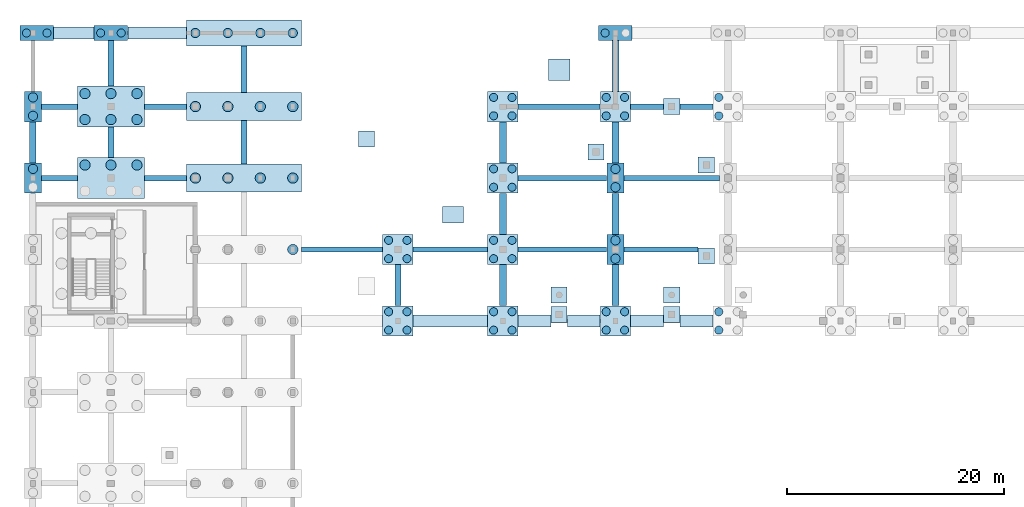
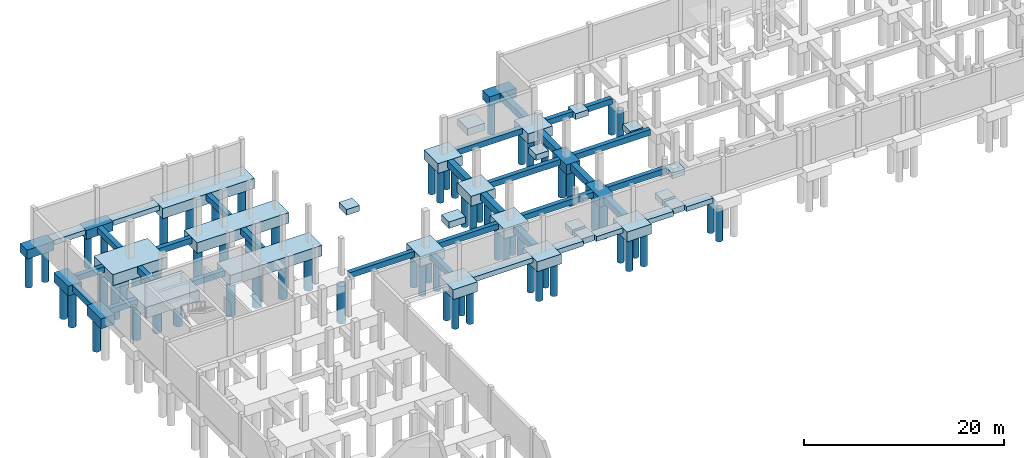
# One storey, part 3 of 21: 70 piles, 64 footings.
"""IFC4 building model written with IfcOpenShell, lengths in metres."""

from ifc_helpers import new_model, si_unit, derived_unit, direction, frame, origin, origin_2d, place, context, subcontext, project, spatial, rectangle, circle, extrude, material, material_profile, profile_set, type_object, element, save


model = new_model("IFC4")

# Units and contexts
model_context = context("Model", 3, precision=1e-05, world=origin(), true_north=direction((0.0, 1.0)))
body_context = subcontext(model_context, "Body", "Model", "MODEL_VIEW")
ifc_project = project(units=[si_unit("LENGTHUNIT", "METRE"), si_unit("AREAUNIT", "SQUARE_METRE"), si_unit("VOLUMEUNIT", "CUBIC_METRE"), si_unit("PLANEANGLEUNIT", "RADIAN"), si_unit("MASSUNIT", "GRAM", prefix="KILO"), derived_unit("THERMALTRANSMITTANCEUNIT", [(si_unit("POWERUNIT", "WATT"), 1), (si_unit("LENGTHUNIT", "METRE"), -2), (si_unit("THERMODYNAMICTEMPERATUREUNIT", "KELVIN"), -1)])], contexts=[model_context])

# Site, building, storey
site_placement = place(None, origin())
site = spatial("IfcSite", under=ifc_project, at=site_placement, CompositionType="ELEMENT")
building_placement = place(site_placement, origin())
building = spatial("IfcBuilding", under=site, at=building_placement, Name="Braskholm Square Health Centre", CompositionType="ELEMENT")
storey_placement = place(building_placement, frame((0.0, 0.0, -4.5)))
storey = spatial("IfcBuildingStorey", under=building, at=storey_placement, Name="B01", CompositionType="ELEMENT", Elevation=-4.5)

# Piles
ifc_material = material(Name="Concrete C40/50 (f'c = 40 MPa)", Category="concrete")
ifc_material_profile_1 = material_profile(ifc_material, circle(Radius=0.375, at=origin_2d()), Name="BORED-PILE-750")
ifc_profile_set_1 = profile_set([ifc_material_profile_1], Name="Concrete C40/50 (f'c = 40 MPa)")
pile_type_1 = type_object("IfcPileType", Name="BoredShaft750", PredefinedType="BORED", material=ifc_profile_set_1)
for number, where, z_axis, x_axis, name in (
    (1, (3.60009765625, 113.800048828125, -1.0), (0.0, 0.0, -1.0), (1.0, 0.0, 0.0), "Rock-socketed shaft 0201"),
    (2, (5.5, 113.800048828125, -1.0), (0.0, 0.0, -1.0), (1.0, 0.0, 0.0), "Rock-socketed shaft 0202"),
    (3, (10.449951171875, 113.800048828125, -1.0), (0.0, 0.0, -1.0), (1.0, 0.0, 0.0), "Rock-socketed shaft 0265"),
    (4, (12.35009765625, 113.800048828125, -1.0), (0.0, 0.0, -1.0), (1.0, 0.0, 0.0), "Rock-socketed shaft 0266"),
    (5, (37.050048828125, 86.35009765625, -1.10009765625), (0.0, 0.0, -1.0), (1.0, 0.0, 0.0), "Rock-socketed shaft 0267"),
    (6, (38.75, 86.35009765625, -1.10009765625), (0.0, 0.0, -1.0), (1.0, 0.0, 0.0), "Rock-socketed shaft 0268"),
    (7, (37.050048828125, 88.050048828125, -1.10009765625), (0.0, 0.0, -1.0), (1.0, 0.0, 0.0), "Rock-socketed shaft 0269"),
    (8, (38.75, 88.050048828125, -1.10009765625), (0.0, 0.0, -1.0), (1.0, 0.0, 0.0), "Rock-socketed shaft 0270"),
    (9, (37.050048828125, 92.949951171875, -1.10009765625), (0.0, 0.0, -1.0), (1.0, 0.0, 0.0), "Rock-socketed shaft 0271"),
    (10, (38.75, 92.949951171875, -1.10009765625), (0.0, 0.0, -1.0), (1.0, 0.0, 0.0), "Rock-socketed shaft 0272"),
    (11, (37.050048828125, 94.64990234375, -1.10009765625), (0.0, 0.0, -1.0), (1.0, 0.0, 0.0), "Rock-socketed shaft 0273"),
    (12, (38.75, 94.64990234375, -1.10009765625), (0.0, 0.0, -1.0), (1.0, 0.0, 0.0), "Rock-socketed shaft 0274"),
    (13, (46.75, 86.35009765625, -1.10009765625), (0.0, 0.0, -1.0), (1.0, 0.0, 0.0), "Rock-socketed shaft 0275"),
    (14, (48.449951171875, 86.35009765625, -1.10009765625), (0.0, 0.0, -1.0), (1.0, 0.0, 0.0), "Rock-socketed shaft 0276"),
    (15, (46.75, 88.050048828125, -1.10009765625), (0.0, 0.0, -1.0), (1.0, 0.0, 0.0), "Rock-socketed shaft 0277"),
    (16, (48.449951171875, 88.050048828125, -1.10009765625), (0.0, 0.0, -1.0), (1.0, 0.0, 0.0), "Rock-socketed shaft 0278"),
    (17, (46.75, 92.949951171875, -1.10009765625), (0.0, 0.0, -1.0), (1.0, 0.0, 0.0), "Rock-socketed shaft 0279"),
    (18, (48.449951171875, 92.949951171875, -1.10009765625), (0.0, 0.0, -1.0), (1.0, 0.0, 0.0), "Rock-socketed shaft 0280"),
    (19, (46.75, 94.64990234375, -1.10009765625), (0.0, 0.0, -1.0), (1.0, 0.0, 0.0), "Rock-socketed shaft 0281"),
    (20, (48.449951171875, 94.64990234375, -1.10009765625), (0.0, 0.0, -1.0), (1.0, 0.0, 0.0), "Rock-socketed shaft 0282"),
    (21, (46.75, 99.550048828125, -1.10009765625), (0.0, 0.0, -1.0), (1.0, 0.0, 0.0), "Rock-socketed shaft 0283"),
    (22, (48.449951171875, 99.550048828125, -1.10009765625), (0.0, 0.0, -1.0), (1.0, 0.0, 0.0), "Rock-socketed shaft 0284"),
    (23, (46.75, 101.25, -1.10009765625), (0.0, 0.0, -1.0), (1.0, 0.0, 0.0), "Rock-socketed shaft 0285"),
    (24, (48.449951171875, 101.25, -1.10009765625), (0.0, 0.0, -1.0), (1.0, 0.0, 0.0), "Rock-socketed shaft 0286"),
    (25, (46.75, 106.14990234375, -1.10009765625), (0.0, 0.0, -1.0), (1.0, 0.0, 0.0), "Rock-socketed shaft 0287"),
    (26, (48.449951171875, 106.14990234375, -1.10009765625), (0.0, 0.0, -1.0), (1.0, 0.0, 0.0), "Rock-socketed shaft 0288"),
    (27, (46.75, 107.85009765625, -1.10009765625), (0.0, 0.0, -1.0), (1.0, 0.0, 0.0), "Rock-socketed shaft 0289"),
    (28, (48.449951171875, 107.85009765625, -1.10009765625), (0.0, 0.0, -1.0), (1.0, 0.0, 0.0), "Rock-socketed shaft 0290"),
    (29, (57.14990234375, 86.35009765625, -1.10009765625), (0.0, 0.0, -1.0), (1.0, 0.0, 0.0), "Rock-socketed shaft 0291"),
    (30, (58.85009765625, 86.35009765625, -1.10009765625), (0.0, 0.0, -1.0), (1.0, 0.0, 0.0), "Rock-socketed shaft 0292"),
    (31, (57.14990234375, 88.050048828125, -1.10009765625), (0.0, 0.0, -1.0), (1.0, 0.0, 0.0), "Rock-socketed shaft 0293"),
    (32, (58.85009765625, 88.050048828125, -1.10009765625), (0.0, 0.0, -1.0), (1.0, 0.0, 0.0), "Rock-socketed shaft 0294"),
    (33, (57.14990234375, 106.14990234375, -1.10009765625), (0.0, 0.0, -1.0), (1.0, 0.0, 0.0), "Rock-socketed shaft 0299"),
    (34, (58.85009765625, 106.14990234375, -1.10009765625), (0.0, 0.0, -1.0), (1.0, 0.0, 0.0), "Rock-socketed shaft 0300"),
    (35, (57.14990234375, 107.85009765625, -1.10009765625), (0.0, 0.0, -1.0), (1.0, 0.0, 0.0), "Rock-socketed shaft 0301"),
    (36, (58.85009765625, 107.85009765625, -1.10009765625), (0.0, 0.0, -1.0), (1.0, 0.0, 0.0), "Rock-socketed shaft 0302"),
    (37, (57.050048828125, 113.800048828125, -1.0), (0.0, 0.0, -1.0), (1.0, 0.0, 0.0), "Rock-socketed shaft 0303"),
    (38, (67.550048828125, 86.35009765625, -1.10009765625), (0.0, 0.0, -1.0), (1.0, 0.0, 0.0), "Rock-socketed shaft 0305"),
    (39, (67.550048828125, 88.050048828125, -1.10009765625), (0.0, 0.0, -1.0), (1.0, 0.0, 0.0), "Rock-socketed shaft 0307"),
    (40, (67.550048828125, 106.14990234375, -1.10009765625), (0.0, 0.0, -1.0), (1.0, 0.0, 0.0), "Rock-socketed shaft 0313"),
    (41, (67.550048828125, 107.85009765625, -1.10009765625), (0.0, 0.0, -1.0), (1.0, 0.0, 0.0), "Rock-socketed shaft 0315"),
):
    element("IfcPile", number, at=place(storey_placement, frame(where, z_axis=z_axis, x_axis=x_axis)), inside=storey, type_object=pile_type_1, Name=name, PredefinedType="BORED", context=body_context, shape_type="SweptSolid", body=[
        extrude(circle(Radius=0.375, at=origin_2d()), origin(), (0.0, 0.0, 1.0), 4.0),
    ])
ifc_material_profile_2 = material_profile(ifc_material, circle(Radius=0.425048828125, at=origin_2d()), Name="BORED-PILE-850")
ifc_profile_set_2 = profile_set([ifc_material_profile_2], Name="Concrete C40/50 (f'c = 40 MPa)")
pile_type_2 = type_object("IfcPileType", Name="BoredShaft850", PredefinedType="BORED", material=ifc_profile_set_2)
for number, where, z_axis, x_axis, name in (
    (42, (19.199951171875, 113.800048828125, -1.14990234375), (0.0, 0.0, -1.0), (1.0, 0.0, 0.0), "Rock-socketed shaft 0097"),
    (43, (22.199951171875, 113.800048828125, -1.14990234375), (0.0, 0.0, -1.0), (1.0, 0.0, 0.0), "Rock-socketed shaft 0098"),
    (44, (25.199951171875, 113.800048828125, -1.14990234375), (0.0, 0.0, -1.0), (1.0, 0.0, 0.0), "Rock-socketed shaft 0099"),
    (45, (28.199951171875, 113.800048828125, -1.14990234375), (0.0, 0.0, -1.0), (1.0, 0.0, 0.0), "Rock-socketed shaft 0100"),
    (46, (4.199951171875, 101.25, -1.10009765625), (0.0, 0.0, -1.0), (1.0, 0.0, 0.0), "Rock-socketed shaft 0198"),
    (47, (4.199951171875, 106.14990234375, -1.10009765625), (0.0, 0.0, -1.0), (1.0, 0.0, 0.0), "Rock-socketed shaft 0199"),
    (48, (4.199951171875, 107.85009765625, -1.10009765625), (0.0, 0.0, -1.0), (1.0, 0.0, 0.0), "Rock-socketed shaft 0200"),
    (49, (58.0, 92.949951171875, -1.10009765625), (0.0, 0.0, -1.0), (1.0, 0.0, 0.0), "Rock-socketed shaft 0295"),
    (50, (58.0, 94.64990234375, -1.10009765625), (0.0, 0.0, -1.0), (1.0, 0.0, 0.0), "Rock-socketed shaft 0296"),
    (51, (58.0, 99.550048828125, -1.10009765625), (0.0, 0.0, -1.0), (1.0, 0.0, 0.0), "Rock-socketed shaft 0297"),
    (52, (58.0, 101.25, -1.10009765625), (0.0, 0.0, -1.0), (1.0, 0.0, 0.0), "Rock-socketed shaft 0298"),
):
    element("IfcPile", number, at=place(storey_placement, frame(where, z_axis=z_axis, x_axis=x_axis)), inside=storey, type_object=pile_type_2, Name=name, PredefinedType="BORED", context=body_context, shape_type="SweptSolid", body=[
        extrude(circle(Radius=0.425048828125, at=origin_2d()), origin(), (0.0, 0.0, 1.0), 4.300048828125),
    ])
ifc_material_profile_3 = material_profile(ifc_material, circle(Radius=0.47509765625, at=origin_2d()), Name="BORED-PILE-950")
ifc_profile_set_3 = profile_set([ifc_material_profile_3], Name="Concrete C40/50 (f'c = 40 MPa)")
pile_type_3 = type_object("IfcPileType", Name="BoredShaft950", PredefinedType="BORED", material=ifc_profile_set_3)
for number, where, z_axis, x_axis, name in (
    (53, (28.199951171875, 93.800048828125, -1.199951171875), (0.0, 0.0, -1.0), (1.0, 0.0, 0.0), "Rock-socketed shaft 0088"),
    (54, (19.199951171875, 100.39990234375, -1.199951171875), (0.0, 0.0, -1.0), (1.0, 0.0, 0.0), "Rock-socketed shaft 0089"),
    (55, (22.199951171875, 100.39990234375, -1.199951171875), (0.0, 0.0, -1.0), (1.0, 0.0, 0.0), "Rock-socketed shaft 0090"),
    (56, (25.199951171875, 100.39990234375, -1.199951171875), (0.0, 0.0, -1.0), (1.0, 0.0, 0.0), "Rock-socketed shaft 0091"),
    (57, (28.199951171875, 100.39990234375, -1.199951171875), (0.0, 0.0, -1.0), (1.0, 0.0, 0.0), "Rock-socketed shaft 0092"),
    (58, (19.199951171875, 107.0, -1.199951171875), (0.0, 0.0, -1.0), (1.0, 0.0, 0.0), "Rock-socketed shaft 0093"),
    (59, (22.199951171875, 107.0, -1.199951171875), (0.0, 0.0, -1.0), (1.0, 0.0, 0.0), "Rock-socketed shaft 0094"),
    (60, (25.199951171875, 107.0, -1.199951171875), (0.0, 0.0, -1.0), (1.0, 0.0, 0.0), "Rock-socketed shaft 0095"),
    (61, (28.199951171875, 107.0, -1.199951171875), (0.0, 0.0, -1.0), (1.0, 0.0, 0.0), "Rock-socketed shaft 0096"),
    (62, (9.0, 101.60009765625, -1.25), (0.0, 0.0, -1.0), (1.0, 0.0, 0.0), "Rock-socketed shaft 0256"),
    (63, (11.39990234375, 101.60009765625, -1.25), (0.0, 0.0, -1.0), (1.0, 0.0, 0.0), "Rock-socketed shaft 0257"),
    (64, (13.800048828125, 101.60009765625, -1.25), (0.0, 0.0, -1.0), (1.0, 0.0, 0.0), "Rock-socketed shaft 0258"),
    (65, (9.0, 105.800048828125, -1.25), (0.0, 0.0, -1.0), (1.0, 0.0, 0.0), "Rock-socketed shaft 0259"),
    (66, (11.39990234375, 105.800048828125, -1.25), (0.0, 0.0, -1.0), (1.0, 0.0, 0.0), "Rock-socketed shaft 0260"),
    (67, (13.800048828125, 105.800048828125, -1.25), (0.0, 0.0, -1.0), (1.0, 0.0, 0.0), "Rock-socketed shaft 0261"),
    (68, (9.0, 108.199951171875, -1.25), (0.0, 0.0, -1.0), (1.0, 0.0, 0.0), "Rock-socketed shaft 0262"),
    (69, (11.39990234375, 108.199951171875, -1.25), (0.0, 0.0, -1.0), (1.0, 0.0, 0.0), "Rock-socketed shaft 0263"),
    (70, (13.800048828125, 108.199951171875, -1.25), (0.0, 0.0, -1.0), (1.0, 0.0, 0.0), "Rock-socketed shaft 0264"),
):
    element("IfcPile", number, at=place(storey_placement, frame(where, z_axis=z_axis, x_axis=x_axis)), inside=storey, type_object=pile_type_3, Name=name, PredefinedType="BORED", context=body_context, shape_type="SweptSolid", body=[
        extrude(circle(Radius=0.47509765625, at=origin_2d()), origin(), (0.0, 0.0, 1.0), 4.60009765625),
    ])

# Footings
ifc_material_profile_4 = material_profile(ifc_material, rectangle(XDim=0.60009765625, YDim=0.800048828125, at=origin_2d()), Name="FTG-600X800")
ifc_profile_set_4 = profile_set([ifc_material_profile_4], Name="Concrete C40/50 (f'c = 40 MPa)")
footing_type_1 = type_object("IfcFootingType", Name="GradeBeamFrost600x800", PredefinedType="FOOTING_BEAM", material=ifc_profile_set_4)
footing_1_placement = place(storey_placement, frame((4.199951171875, 101.804931640625, -0.39990234375), z_axis=(0.0, 1.0, 0.0), x_axis=(-1.0, 0.0, 0.0)))
element("IfcFooting", 71, at=footing_1_placement, inside=storey, type_object=footing_type_1, Name="Foundation tie beam 0014", PredefinedType="FOOTING_BEAM", context=body_context, shape_type="SweptSolid", body=[
    extrude(rectangle(XDim=0.60009765625, YDim=0.800048828125, at=origin_2d()), origin(), (0.0, 0.0, 1.0), 3.7900390625),
])
ifc_material_profile_5 = material_profile(ifc_material, rectangle(XDim=0.64990234375, YDim=0.85009765625, at=origin_2d()), Name="FTG-650X850")
ifc_profile_set_5 = profile_set([ifc_material_profile_5], Name="Concrete C40/50 (f'c = 40 MPa)")
footing_type_2 = type_object("IfcFootingType", Name="GradeBeamHall650x850", PredefinedType="FOOTING_BEAM", material=ifc_profile_set_5)
for number, where, z_axis, x_axis, name in (
    (72, (47.60009765625, 88.60498046875, -0.425048828125), (0.0, 1.0, 0.0), (-1.0, 0.0, 0.0), "Foundation tie beam 0041"),
    (73, (47.60009765625, 95.205078125, -0.425048828125), (0.0, 1.0, 0.0), (-1.0, 0.0, 0.0), "Foundation tie beam 0042"),
    (74, (47.60009765625, 101.804931640625, -0.425048828125), (0.0, 1.0, 0.0), (-1.0, 0.0, 0.0), "Foundation tie beam 0043"),
    (75, (58.0, 88.60498046875, -0.425048828125), (0.0, 1.0, 0.0), (-1.0, 0.0, 0.0), "Foundation tie beam 0044"),
    (76, (58.0, 95.205078125, -0.425048828125), (0.0, 1.0, 0.0), (-1.0, 0.0, 0.0), "Foundation tie beam 0045"),
    (77, (58.0, 101.804931640625, -0.425048828125), (0.0, 1.0, 0.0), (-1.0, 0.0, 0.0), "Foundation tie beam 0046"),
):
    element("IfcFooting", number, at=place(storey_placement, frame(where, z_axis=z_axis, x_axis=x_axis)), inside=storey, type_object=footing_type_2, Name=name, PredefinedType="FOOTING_BEAM", context=body_context, shape_type="SweptSolid", body=[
        extrude(rectangle(XDim=0.64990234375, YDim=0.85009765625, at=origin_2d()), origin(), (0.0, 0.0, 1.0), 3.7900390625),
    ])
footing_2_placement = place(storey_placement, frame((58.0, 108.405029296875, -0.425048828125), z_axis=(0.0, 1.0, 0.0), x_axis=(-1.0, 0.0, 0.0)))
element("IfcFooting", 78, at=footing_2_placement, inside=storey, type_object=footing_type_2, Name="Foundation tie beam 0047", PredefinedType="FOOTING_BEAM", context=body_context, shape_type="SweptSolid", body=[
    extrude(rectangle(XDim=0.64990234375, YDim=0.85009765625, at=origin_2d()), origin(), (0.0, 0.0, 1.0), 4.68994140625),
])
ifc_material_profile_6 = material_profile(ifc_material, rectangle(XDim=0.5, YDim=0.699951171875, at=origin_2d()), Name="FTG-500X700")
ifc_profile_set_6 = profile_set([ifc_material_profile_6], Name="Concrete C40/50 (f'c = 40 MPa)")
footing_type_3 = type_object("IfcFootingType", Name="GradeBeamTie500x700", PredefinedType="FOOTING_BEAM", material=ifc_profile_set_6)
footing_3_placement = place(storey_placement, frame((29.0048828125, 93.800048828125, -0.35009765625), z_axis=(1.0, 0.0, 0.0), x_axis=(0.0, 1.0, 0.0)))
element("IfcFooting", 79, at=footing_3_placement, inside=storey, type_object=footing_type_3, Name="Foundation tie beam 0175", PredefinedType="FOOTING_BEAM", context=body_context, shape_type="SweptSolid", body=[
    extrude(rectangle(XDim=0.5, YDim=0.699951171875, at=origin_2d()), origin(), (0.0, 0.0, 1.0), 7.490234375),
])
footing_4_placement = place(storey_placement, frame((39.304931640625, 93.800048828125, -0.35009765625), z_axis=(1.0, 0.0, 0.0), x_axis=(0.0, 1.0, 0.0)))
element("IfcFooting", 80, at=footing_4_placement, inside=storey, type_object=footing_type_3, Name="Foundation tie beam 0176", PredefinedType="FOOTING_BEAM", context=body_context, shape_type="SweptSolid", body=[
    extrude(rectangle(XDim=0.5, YDim=0.699951171875, at=origin_2d()), origin(), (0.0, 0.0, 1.0), 6.89013671875),
])
footing_5_placement = place(storey_placement, frame((49.0048828125, 93.800048828125, -0.35009765625), z_axis=(1.0, 0.0, 0.0), x_axis=(0.0, 1.0, 0.0)))
element("IfcFooting", 81, at=footing_5_placement, inside=storey, type_object=footing_type_3, Name="Foundation tie beam 0177", PredefinedType="FOOTING_BEAM", context=body_context, shape_type="SweptSolid", body=[
    extrude(rectangle(XDim=0.5, YDim=0.699951171875, at=origin_2d()), origin(), (0.0, 0.0, 1.0), 8.190185546875),
])
footing_6_placement = place(storey_placement, frame((58.804931640625, 93.800048828125, -0.35009765625), z_axis=(1.0, 0.0, 0.0), x_axis=(0.0, 1.0, 0.0)))
element("IfcFooting", 82, at=footing_6_placement, inside=storey, type_object=footing_type_3, Name="Foundation tie beam 0178", PredefinedType="FOOTING_BEAM", context=body_context, shape_type="SweptSolid", body=[
    extrude(rectangle(XDim=0.5, YDim=0.699951171875, at=origin_2d()), origin(), (0.0, 0.0, 1.0), 6.841064453125),
])
footing_7_placement = place(storey_placement, frame((5.0048828125, 100.39990234375, -0.35009765625), z_axis=(1.0, 0.0, 0.0), x_axis=(0.0, 1.0, 0.0)))
element("IfcFooting", 83, at=footing_7_placement, inside=storey, type_object=footing_type_3, Name="Foundation tie beam 0188", PredefinedType="FOOTING_BEAM", context=body_context, shape_type="SweptSolid", body=[
    extrude(rectangle(XDim=0.5, YDim=0.699951171875, at=origin_2d()), origin(), (0.0, 0.0, 1.0), 3.2900390625),
])
footing_8_placement = place(storey_placement, frame((14.5048828125, 100.39990234375, -0.35009765625), z_axis=(1.0, 0.0, 0.0), x_axis=(0.0, 1.0, 0.0)))
element("IfcFooting", 84, at=footing_8_placement, inside=storey, type_object=footing_type_3, Name="Foundation tie beam 0189", PredefinedType="FOOTING_BEAM", context=body_context, shape_type="SweptSolid", body=[
    extrude(rectangle(XDim=0.5, YDim=0.699951171875, at=origin_2d()), origin(), (0.0, 0.0, 1.0), 3.89013671875),
])
footing_9_placement = place(storey_placement, frame((49.0048828125, 100.39990234375, -0.35009765625), z_axis=(1.0, 0.0, 0.0), x_axis=(0.0, 1.0, 0.0)))
element("IfcFooting", 85, at=footing_9_placement, inside=storey, type_object=footing_type_3, Name="Foundation tie beam 0190", PredefinedType="FOOTING_BEAM", context=body_context, shape_type="SweptSolid", body=[
    extrude(rectangle(XDim=0.5, YDim=0.699951171875, at=origin_2d()), origin(), (0.0, 0.0, 1.0), 8.190185546875),
])
footing_10_placement = place(storey_placement, frame((58.804931640625, 100.39990234375, -0.35009765625), z_axis=(1.0, 0.0, 0.0), x_axis=(0.0, 1.0, 0.0)))
element("IfcFooting", 86, at=footing_10_placement, inside=storey, type_object=footing_type_3, Name="Foundation tie beam 0191", PredefinedType="FOOTING_BEAM", context=body_context, shape_type="SweptSolid", body=[
    extrude(rectangle(XDim=0.5, YDim=0.699951171875, at=origin_2d()), origin(), (0.0, 0.0, 1.0), 8.7900390625),
])
footing_11_placement = place(storey_placement, frame((5.0048828125, 107.0, -0.35009765625), z_axis=(1.0, 0.0, 0.0), x_axis=(0.0, 1.0, 0.0)))
element("IfcFooting", 87, at=footing_11_placement, inside=storey, type_object=footing_type_3, Name="Foundation tie beam 0199", PredefinedType="FOOTING_BEAM", context=body_context, shape_type="SweptSolid", body=[
    extrude(rectangle(XDim=0.5, YDim=0.699951171875, at=origin_2d()), origin(), (0.0, 0.0, 1.0), 3.2900390625),
])
footing_12_placement = place(storey_placement, frame((14.5048828125, 107.0, -0.35009765625), z_axis=(1.0, 0.0, 0.0), x_axis=(0.0, 1.0, 0.0)))
element("IfcFooting", 88, at=footing_12_placement, inside=storey, type_object=footing_type_3, Name="Foundation tie beam 0200", PredefinedType="FOOTING_BEAM", context=body_context, shape_type="SweptSolid", body=[
    extrude(rectangle(XDim=0.5, YDim=0.699951171875, at=origin_2d()), origin(), (0.0, 0.0, 1.0), 3.89013671875),
])
footing_13_placement = place(storey_placement, frame((49.0048828125, 107.0, -0.35009765625), z_axis=(1.0, 0.0, 0.0), x_axis=(0.0, 1.0, 0.0)))
element("IfcFooting", 89, at=footing_13_placement, inside=storey, type_object=footing_type_3, Name="Foundation tie beam 0201", PredefinedType="FOOTING_BEAM", context=body_context, shape_type="SweptSolid", body=[
    extrude(rectangle(XDim=0.5, YDim=0.699951171875, at=origin_2d()), origin(), (0.0, 0.0, 1.0), 7.590087890625),
])
for number, where, z_axis, x_axis, name in (
    (90, (59.405029296875, 107.0, -0.35009765625), (1.0, 0.0, 0.0), (0.0, 1.0, 0.0), "Foundation tie beam 0202"),
    (91, (63.9541015625, 107.0, -0.35009765625), (1.0, 0.0, 0.0), (0.0, 1.0, 0.0), "Foundation tie beam 0203"),
):
    element("IfcFooting", number, at=place(storey_placement, frame(where, z_axis=z_axis, x_axis=x_axis)), inside=storey, type_object=footing_type_3, Name=name, PredefinedType="FOOTING_BEAM", context=body_context, shape_type="SweptSolid", body=[
        extrude(rectangle(XDim=0.5, YDim=0.699951171875, at=origin_2d()), origin(), (0.0, 0.0, 1.0), 3.041015625),
    ])
ifc_material_profile_7 = material_profile(ifc_material, rectangle(XDim=0.550048828125, YDim=0.75, at=origin_2d()), Name="FTG-550X750")
ifc_profile_set_7 = profile_set([ifc_material_profile_7], Name="Concrete C40/50 (f'c = 40 MPa)")
footing_type_4 = type_object("IfcFootingType", Name="GradeBeamTie550x750", PredefinedType="FOOTING_BEAM", material=ifc_profile_set_7)
footing_14_placement = place(storey_placement, frame((11.39990234375, 102.304931640625, -0.375), z_axis=(0.0, 1.0, 0.0), x_axis=(-1.0, 0.0, 0.0)))
element("IfcFooting", 92, at=footing_14_placement, inside=storey, type_object=footing_type_4, Name="Foundation tie beam 0022", PredefinedType="FOOTING_BEAM", context=body_context, shape_type="SweptSolid", body=[
    extrude(rectangle(XDim=0.550048828125, YDim=0.75, at=origin_2d()), origin(), (0.0, 0.0, 1.0), 2.7900390625),
])
footing_15_placement = place(storey_placement, frame((11.39990234375, 108.905029296875, -0.375), z_axis=(0.0, 1.0, 0.0), x_axis=(-1.0, 0.0, 0.0)))
element("IfcFooting", 93, at=footing_15_placement, inside=storey, type_object=footing_type_4, Name="Foundation tie beam 0023", PredefinedType="FOOTING_BEAM", context=body_context, shape_type="SweptSolid", body=[
    extrude(rectangle(XDim=0.550048828125, YDim=0.75, at=origin_2d()), origin(), (0.0, 0.0, 1.0), 4.18994140625),
])
footing_16_placement = place(storey_placement, frame((23.699951171875, 101.705078125, -0.375), z_axis=(0.0, 1.0, 0.0), x_axis=(-1.0, 0.0, 0.0)))
element("IfcFooting", 94, at=footing_16_placement, inside=storey, type_object=footing_type_4, Name="Foundation tie beam 0038", PredefinedType="FOOTING_BEAM", context=body_context, shape_type="SweptSolid", body=[
    extrude(rectangle(XDim=0.550048828125, YDim=0.75, at=origin_2d()), origin(), (0.0, 0.0, 1.0), 3.989990234375),
])
footing_17_placement = place(storey_placement, frame((23.699951171875, 108.304931640625, -0.375), z_axis=(0.0, 1.0, 0.0), x_axis=(-1.0, 0.0, 0.0)))
element("IfcFooting", 95, at=footing_17_placement, inside=storey, type_object=footing_type_4, Name="Foundation tie beam 0039", PredefinedType="FOOTING_BEAM", context=body_context, shape_type="SweptSolid", body=[
    extrude(rectangle(XDim=0.550048828125, YDim=0.75, at=origin_2d()), origin(), (0.0, 0.0, 1.0), 4.2900390625),
])
footing_18_placement = place(storey_placement, frame((37.89990234375, 88.60498046875, -0.375), z_axis=(0.0, 1.0, 0.0), x_axis=(-1.0, 0.0, 0.0)))
element("IfcFooting", 96, at=footing_18_placement, inside=storey, type_object=footing_type_4, Name="Foundation tie beam 0040", PredefinedType="FOOTING_BEAM", context=body_context, shape_type="SweptSolid", body=[
    extrude(rectangle(XDim=0.550048828125, YDim=0.75, at=origin_2d()), origin(), (0.0, 0.0, 1.0), 3.7900390625),
])
footing_type_5 = type_object("IfcFootingType", Name="PadFootingPortico2000x2000", PredefinedType="PAD_FOOTING", material=ifc_material)
footing_19_placement = place(storey_placement, frame((52.800048828125, 110.39990234375, -0.85009765625), z_axis=(0.0, 0.0, 1.0), x_axis=(1.0, 0.0, 0.0)))
element("IfcFooting", 97, at=footing_19_placement, inside=storey, type_object=footing_type_5, Name="Frost-depth pad footing 005", PredefinedType="PAD_FOOTING", context=body_context, shape_type="SweptSolid", body=[
    extrude(rectangle(XDim=2.0, YDim=2.0, at=origin_2d()), origin(), (0.0, 0.0, 1.0), 0.85009765625),
])
footing_type_6 = type_object("IfcFootingType", Name="PadFootingScreen1500x1500", PredefinedType="PAD_FOOTING", material=ifc_material)
for number, where, z_axis, x_axis, name in (
    (98, (35.0, 104.0, -0.7001953125), (0.0, 0.0, 1.0), (1.0, 0.0, 0.0), "Frost-depth pad footing 011"),
    (99, (52.800048828125, 89.60009765625, -0.7001953125), (0.0, 0.0, 1.0), (1.0, 0.0, 0.0), "Special column pad footing RC01"),
    (100, (63.199951171875, 89.60009765625, -0.7001953125), (0.0, 0.0, 1.0), (1.0, 0.0, 0.0), "Special column pad footing RC02"),
    (101, (52.800048828125, 87.800048828125, -0.7001953125), (0.0, 0.0, 1.0), (1.0, 0.0, 0.0), "Special column pad footing CS1A"),
    (102, (63.199951171875, 87.800048828125, -0.7001953125), (0.0, 0.0, 1.0), (1.0, 0.0, 0.0), "Special column pad footing CS1B"),
    (103, (63.199951171875, 107.0, -0.7001953125), (0.0, 0.0, 1.0), (1.0, 0.0, 0.0), "Special column pad footing CS2D"),
    (104, (66.39990234375, 93.199951171875, -0.7001953125), (0.0, 0.0, 1.0), (1.0, 0.0, 0.0), "Special column pad footing CS3A"),
    (105, (56.199951171875, 102.800048828125, -0.7001953125), (0.0, 0.0, 1.0), (1.0, 0.0, 0.0), "Special column pad footing CS3G"),
    (106, (66.39990234375, 101.60009765625, -0.7001953125), (0.0, 0.0, 1.0), (1.0, 0.0, 0.0), "Special column pad footing CS3J"),
):
    element("IfcFooting", number, at=place(storey_placement, frame(where, z_axis=z_axis, x_axis=x_axis)), inside=storey, type_object=footing_type_6, Name=name, PredefinedType="PAD_FOOTING", context=body_context, shape_type="SweptSolid", body=[
        extrude(rectangle(XDim=1.5, YDim=1.5, at=origin_2d()), origin(), (0.0, 0.0, 1.0), 0.699951171875),
    ])
footing_type_7 = type_object("IfcFootingType", Name="PadFootingStair1900x1500", PredefinedType="PAD_FOOTING", material=ifc_material)
footing_20_placement = place(storey_placement, frame((43.0, 97.0, -0.7998046875), z_axis=(0.0, 0.0, 1.0), x_axis=(1.0, 0.0, 0.0)))
element("IfcFooting", 107, at=footing_20_placement, inside=storey, type_object=footing_type_7, Name="Frost-depth pad footing 009", PredefinedType="PAD_FOOTING", context=body_context, shape_type="SweptSolid", body=[
    extrude(rectangle(XDim=1.89990234375, YDim=1.5, at=origin_2d()), origin(), (0.0, 0.0, 1.0), 0.800048828125),
])
footing_type_8 = type_object("IfcFootingType", Name="PileCap2Pile2800x1600", PredefinedType="PILE_CAP", material=ifc_material)
for number, where, z_axis, x_axis, name in (
    (108, (4.199951171875, 100.39990234375, -1.2001953125), (0.0, 0.0, 1.0), (0.0, 1.0, 0.0), "Column pile cap FTG-PC-0053 at 1/Q"),
    (109, (4.199951171875, 107.0, -1.2001953125), (0.0, 0.0, 1.0), (0.0, 1.0, 0.0), "Column pile cap FTG-PC-0054 at 1/R"),
    (110, (58.0, 93.800048828125, -1.2001953125), (0.0, 0.0, 1.0), (0.0, 1.0, 0.0), "Column pile cap FTG-PC-0076 at 9/P"),
    (111, (58.0, 100.39990234375, -1.2001953125), (0.0, 0.0, 1.0), (0.0, 1.0, 0.0), "Column pile cap FTG-PC-0077 at 9/Q"),
):
    element("IfcFooting", number, at=place(storey_placement, frame(where, z_axis=z_axis, x_axis=x_axis)), inside=storey, type_object=footing_type_8, Name=name, PredefinedType="PILE_CAP", context=body_context, shape_type="SweptSolid", body=[
        extrude(rectangle(XDim=2.800048828125, YDim=1.60009765625, at=origin_2d()), origin(), (0.0, 0.0, 1.0), 1.199951171875),
    ])
footing_type_9 = type_object("IfcFootingType", Name="PileCap2Pile3100x1400", PredefinedType="PILE_CAP", material=ifc_material)
for number, where, z_axis, x_axis, name in (
    (112, (4.550048828125, 113.800048828125, -1.10009765625), (0.0, 0.0, 1.0), (1.0, 0.0, 0.0), "Column pile cap FTG-PC-0055 at 1/S"),
    (113, (11.39990234375, 113.800048828125, -1.10009765625), (0.0, 0.0, 1.0), (1.0, 0.0, 0.0), "Column pile cap FTG-PC-0068 at 2/S"),
    (114, (58.0, 113.800048828125, -1.10009765625), (0.0, 0.0, 1.0), (1.0, 0.0, 0.0), "Column pile cap FTG-PC-0079 at 9/S"),
):
    element("IfcFooting", number, at=place(storey_placement, frame(where, z_axis=z_axis, x_axis=x_axis)), inside=storey, type_object=footing_type_9, Name=name, PredefinedType="PILE_CAP", context=body_context, shape_type="SweptSolid", body=[
        extrude(rectangle(XDim=3.10009765625, YDim=1.39990234375, at=origin_2d()), origin(), (0.0, 0.0, 1.0), 1.10009765625),
    ])
footing_type_10 = type_object("IfcFootingType", Name="PileCap4Pile2800x2800", PredefinedType="PILE_CAP", material=ifc_material)
for number, where, z_axis, x_axis, name in (
    (115, (37.89990234375, 87.199951171875, -1.2001953125), (0.0, 0.0, 1.0), (1.0, 0.0, 0.0), "Column pile cap FTG-PC-0069 at 7/N"),
    (116, (37.89990234375, 93.800048828125, -1.2001953125), (0.0, 0.0, 1.0), (1.0, 0.0, 0.0), "Column pile cap FTG-PC-0070 at 7/P"),
    (117, (47.60009765625, 87.199951171875, -1.2001953125), (0.0, 0.0, 1.0), (1.0, 0.0, 0.0), "Column pile cap FTG-PC-0071 at 8/N"),
    (118, (47.60009765625, 93.800048828125, -1.2001953125), (0.0, 0.0, 1.0), (1.0, 0.0, 0.0), "Column pile cap FTG-PC-0072 at 8/P"),
    (119, (47.60009765625, 100.39990234375, -1.2001953125), (0.0, 0.0, 1.0), (1.0, 0.0, 0.0), "Column pile cap FTG-PC-0073 at 8/Q"),
    (120, (47.60009765625, 107.0, -1.2001953125), (0.0, 0.0, 1.0), (1.0, 0.0, 0.0), "Column pile cap FTG-PC-0074 at 8/R"),
    (121, (58.0, 87.199951171875, -1.2001953125), (0.0, 0.0, 1.0), (1.0, 0.0, 0.0), "Column pile cap FTG-PC-0075 at 9/N"),
    (122, (58.0, 107.0, -1.2001953125), (0.0, 0.0, 1.0), (1.0, 0.0, 0.0), "Column pile cap FTG-PC-0078 at 9/R"),
):
    element("IfcFooting", number, at=place(storey_placement, frame(where, z_axis=z_axis, x_axis=x_axis)), inside=storey, type_object=footing_type_10, Name=name, PredefinedType="PILE_CAP", context=body_context, shape_type="SweptSolid", body=[
        extrude(rectangle(XDim=2.800048828125, YDim=2.800048828125, at=origin_2d()), origin(), (0.0, 0.0, 1.0), 1.199951171875),
    ])
footing_type_11 = type_object("IfcFootingType", Name="PileCap4PileStep10600x2400", PredefinedType="PILE_CAP", material=ifc_material)
footing_21_placement = place(storey_placement, frame((23.699951171875, 113.800048828125, -1.25), z_axis=(0.0, 0.0, 1.0), x_axis=(1.0, 0.0, 0.0)))
element("IfcFooting", 123, at=footing_21_placement, inside=storey, type_object=footing_type_11, Name="Combined step pile cap FTG-PC-0021", PredefinedType="PILE_CAP", context=body_context, shape_type="SweptSolid", body=[
    extrude(rectangle(XDim=10.60009765625, YDim=2.39990234375, at=origin_2d()), origin(), (0.0, 0.0, 1.0), 1.25),
])
footing_type_12 = type_object("IfcFootingType", Name="PileCap4PileStep10600x2600", PredefinedType="PILE_CAP", material=ifc_material)
for number, where, z_axis, x_axis, name in (
    (124, (23.699951171875, 100.39990234375, -1.2998046875), (0.0, 0.0, 1.0), (1.0, 0.0, 0.0), "Combined step pile cap FTG-PC-0019"),
    (125, (23.699951171875, 107.0, -1.2998046875), (0.0, 0.0, 1.0), (1.0, 0.0, 0.0), "Combined step pile cap FTG-PC-0020"),
):
    element("IfcFooting", number, at=place(storey_placement, frame(where, z_axis=z_axis, x_axis=x_axis)), inside=storey, type_object=footing_type_12, Name=name, PredefinedType="PILE_CAP", context=body_context, shape_type="SweptSolid", body=[
        extrude(rectangle(XDim=10.60009765625, YDim=2.60009765625, at=origin_2d()), origin(), (0.0, 0.0, 1.0), 1.300048828125),
    ])
footing_type_13 = type_object("IfcFootingType", Name="PileCap6Pile6200x3800", PredefinedType="PILE_CAP", material=ifc_material)
for number, where, z_axis, x_axis, name in (
    (126, (11.39990234375, 100.39990234375, -1.35009765625), (0.0, 0.0, 1.0), (1.0, 0.0, 0.0), "Column pile cap FTG-PC-0066 at 2/Q"),
    (127, (11.39990234375, 107.0, -1.35009765625), (0.0, 0.0, 1.0), (1.0, 0.0, 0.0), "Column pile cap FTG-PC-0067 at 2/R"),
):
    element("IfcFooting", number, at=place(storey_placement, frame(where, z_axis=z_axis, x_axis=x_axis)), inside=storey, type_object=footing_type_13, Name=name, PredefinedType="PILE_CAP", context=body_context, shape_type="SweptSolid", body=[
        extrude(rectangle(XDim=6.199951171875, YDim=3.800048828125, at=origin_2d()), origin(), (0.0, 0.0, 1.0), 1.35009765625),
    ])
ifc_material_profile_8 = material_profile(ifc_material, rectangle(XDim=1.10009765625, YDim=0.60009765625, at=origin_2d()), Name="FTG-1100X600")
ifc_profile_set_8 = profile_set([ifc_material_profile_8], Name="Concrete C40/50 (f'c = 40 MPa)")
footing_type_14 = type_object("IfcFootingType", Name="StripFootingWall1100x600", PredefinedType="STRIP_FOOTING", material=ifc_profile_set_8)
footing_22_placement = place(storey_placement, frame((39.304931640625, 87.199951171875, -0.300048828125), z_axis=(1.0, 0.0, 0.0), x_axis=(0.0, 1.0, 0.0)))
element("IfcFooting", 128, at=footing_22_placement, inside=storey, type_object=footing_type_14, Name="Foundation tie beam 0158", PredefinedType="STRIP_FOOTING", context=body_context, shape_type="SweptSolid", body=[
    extrude(rectangle(XDim=1.10009765625, YDim=0.60009765625, at=origin_2d()), origin(), (0.0, 0.0, 1.0), 6.89013671875),
])
for number, where, z_axis, x_axis, name in (
    (129, (49.0048828125, 87.199951171875, -0.300048828125), (1.0, 0.0, 0.0), (0.0, 1.0, 0.0), "Foundation tie beam 0159"),
    (130, (53.553955078125, 87.199951171875, -0.300048828125), (1.0, 0.0, 0.0), (0.0, 1.0, 0.0), "Foundation tie beam 0160"),
    (131, (59.405029296875, 87.199951171875, -0.300048828125), (1.0, 0.0, 0.0), (0.0, 1.0, 0.0), "Foundation tie beam 0161"),
    (132, (63.9541015625, 87.199951171875, -0.300048828125), (1.0, 0.0, 0.0), (0.0, 1.0, 0.0), "Foundation tie beam 0162"),
):
    element("IfcFooting", number, at=place(storey_placement, frame(where, z_axis=z_axis, x_axis=x_axis)), inside=storey, type_object=footing_type_14, Name=name, PredefinedType="STRIP_FOOTING", context=body_context, shape_type="SweptSolid", body=[
        extrude(rectangle(XDim=1.10009765625, YDim=0.60009765625, at=origin_2d()), origin(), (0.0, 0.0, 1.0), 3.041015625),
    ])
footing_23_placement = place(storey_placement, frame((6.10498046875, 113.800048828125, -0.300048828125), z_axis=(1.0, 0.0, 0.0), x_axis=(0.0, 1.0, 0.0)))
element("IfcFooting", 133, at=footing_23_placement, inside=storey, type_object=footing_type_14, Name="Foundation tie beam 0213", PredefinedType="STRIP_FOOTING", context=body_context, shape_type="SweptSolid", body=[
    extrude(rectangle(XDim=1.10009765625, YDim=0.60009765625, at=origin_2d()), origin(), (0.0, 0.0, 1.0), 3.739990234375),
])
footing_24_placement = place(storey_placement, frame((12.955078125, 113.800048828125, -0.300048828125), z_axis=(1.0, 0.0, 0.0), x_axis=(0.0, 1.0, 0.0)))
element("IfcFooting", 134, at=footing_24_placement, inside=storey, type_object=footing_type_14, Name="Foundation tie beam 0214", PredefinedType="STRIP_FOOTING", context=body_context, shape_type="SweptSolid", body=[
    extrude(rectangle(XDim=1.10009765625, YDim=0.60009765625, at=origin_2d()), origin(), (0.0, 0.0, 1.0), 5.43994140625),
])

save(model, "model.ifc")
